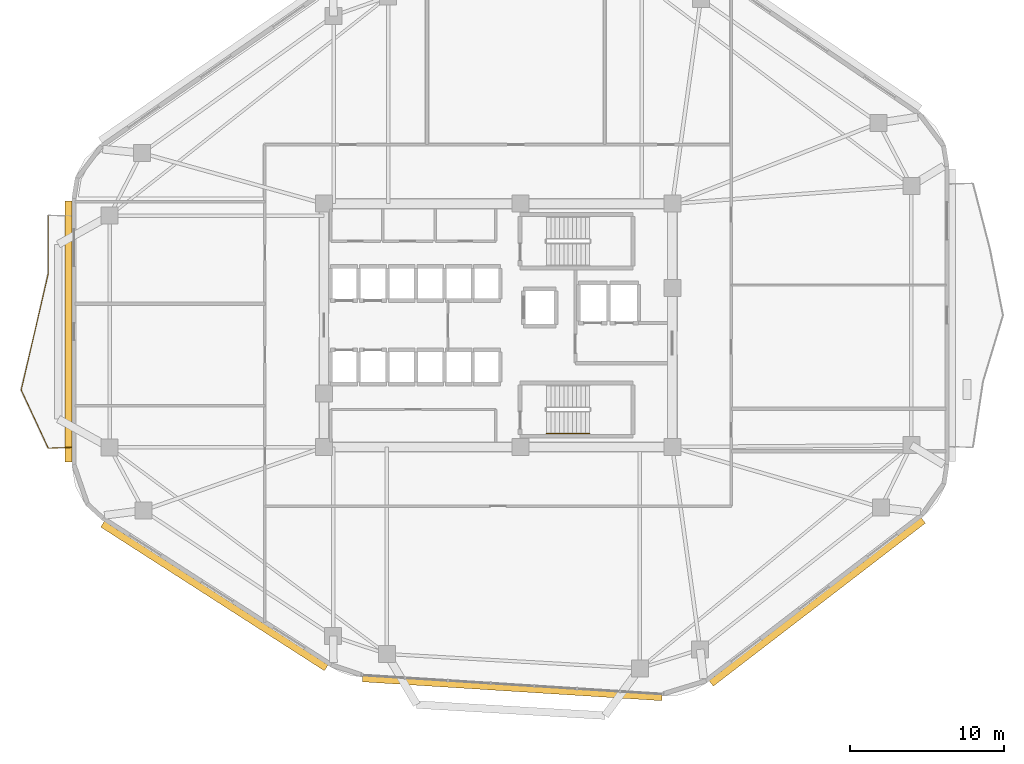
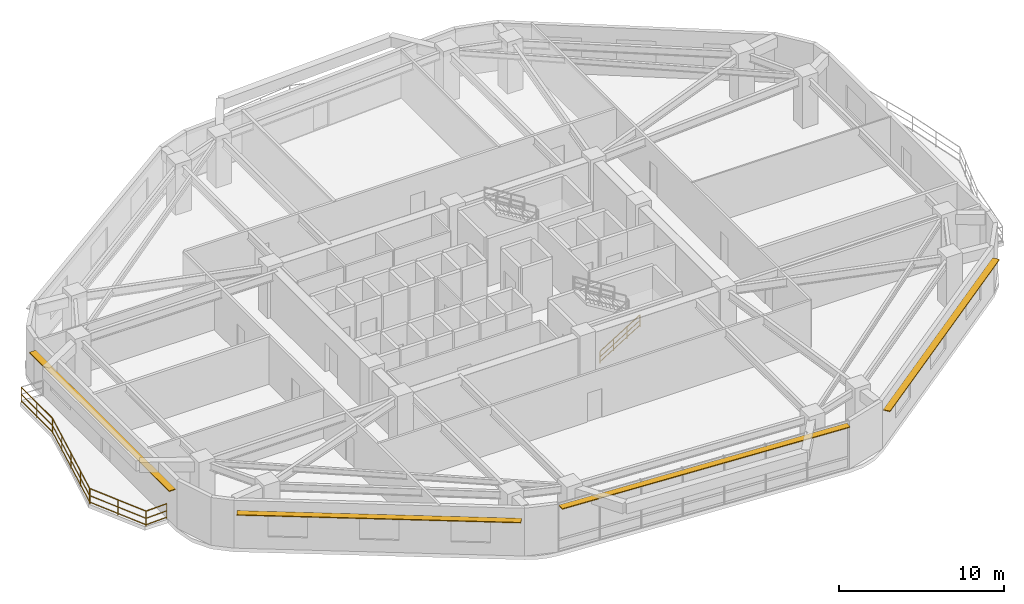
# One storey, part 10 of 12: 5 railings, 4 shading devices.
"""IFC4 building model written with IfcOpenShell, lengths in metres."""

from ifc_helpers import new_model, si_unit, direction, frame, origin, origin_2d, place, context, subcontext, project, spatial, rectangle, extrude, material, layer, layer_set, type_object, element, save


model = new_model("IFC4")

# Units and contexts
model_context = context("Model", 3, precision=1e-05, world=origin(), true_north=direction((0.0, 1.0)))
body_context = subcontext(model_context, "Body", "Model", "MODEL_VIEW")
ifc_project = project(units=[si_unit("LENGTHUNIT", "METRE"), si_unit("AREAUNIT", "SQUARE_METRE"), si_unit("VOLUMEUNIT", "CUBIC_METRE"), si_unit("PLANEANGLEUNIT", "RADIAN"), si_unit("MASSUNIT", "GRAM", prefix="KILO")], contexts=[model_context])

# Site, building, storey
site_placement = place(None, origin())
site = spatial("IfcSite", under=ifc_project, at=site_placement, CompositionType="ELEMENT")
building_placement = place(site_placement, origin())
building = spatial("IfcBuilding", under=site, at=building_placement, Name="Zulverin Broadcast Headquarters", CompositionType="ELEMENT")
storey_placement = place(building_placement, frame((0.0, 0.0, 93.39990234375)))
storey = spatial("IfcBuildingStorey", under=building, at=storey_placement, Name="L23", CompositionType="ELEMENT", Elevation=93.39990234375)

# Railings
ifc_material_1 = material(Name="Brushed stainless steel & laminated glass balustrade", Category="steel")
railing_type_1 = type_object("IfcRailingType", Name="RL-GUARD-1150", PredefinedType="GUARDRAIL", material=ifc_material_1)
railing_1_placement = place(storey_placement, frame((7.8798828125, 32.329345703125, 0.0)))
element("IfcRailing", 1, at=railing_1_placement, inside=storey, type_object=railing_type_1, Name="L23 Vertical-Forest Balcony Guardrail BAL_W Segment 02", PredefinedType="GUARDRAIL", context=body_context, shape_type="SweptSolid", body=[
    extrude(rectangle(XDim=0.048095703125, YDim=0.048095703125, at=origin_2d()), frame((0.0, 0.0, 1.1259765625), z_axis=(0.0, -1.0, 0.0), x_axis=(1.0, 0.0, 0.0)), (0.0, 0.0, 1.0), 3.7451171875),
    extrude(rectangle(XDim=0.0419921875, YDim=0.0419921875, at=origin_2d()), frame((0.0, 0.0, 0.597900390625), z_axis=(0.0, -1.0, 0.0), x_axis=(1.0, 0.0, 0.0)), (0.0, 0.0, 1.0), 3.7451171875),
    extrude(rectangle(XDim=0.0419921875, YDim=0.0419921875, at=origin_2d()), frame((0.0, 0.0, 0.1201171875), z_axis=(0.0, -1.0, 0.0), x_axis=(1.0, 0.0, 0.0)), (0.0, 0.0, 1.0), 3.7451171875),
    extrude(rectangle(XDim=0.0419921875, YDim=0.0419921875, at=origin_2d()), origin(), (0.0, 0.0, 1.0), 1.101806640625),
    extrude(rectangle(XDim=0.0419921875, YDim=0.0419921875, at=origin_2d()), frame((0.0, -1.87255859375, 0.0)), (0.0, 0.0, 1.0), 1.101806640625),
    extrude(rectangle(XDim=0.0419921875, YDim=0.0419921875, at=origin_2d()), frame((0.0, -3.7451171875, 0.0)), (0.0, 0.0, 1.0), 1.101806640625),
])
railing_2_placement = place(storey_placement, frame((7.876708984375, 28.5546875, 0.0)))
element("IfcRailing", 2, at=railing_2_placement, inside=storey, type_object=railing_type_1, Name="L23 Vertical-Forest Balcony Guardrail BAL_W Segment 03", PredefinedType="GUARDRAIL", context=body_context, shape_type="SweptSolid", body=[
    extrude(rectangle(XDim=0.048095703125, YDim=0.048095703125, at=origin_2d()), frame((0.0, 0.0, 1.1259765625), z_axis=(-0.226290961351, -0.974059752177, 0.0), x_axis=(0.974059752177, -0.226290961351, 0.0)), (0.0, 0.0, 1.0), 7.721435546875),
    extrude(rectangle(XDim=0.0419921875, YDim=0.0419921875, at=origin_2d()), frame((0.0, 0.0, 0.597900390625), z_axis=(-0.226290961351, -0.974059752177, 0.0), x_axis=(0.974059752177, -0.226290961351, 0.0)), (0.0, 0.0, 1.0), 7.721435546875),
    extrude(rectangle(XDim=0.0419921875, YDim=0.0419921875, at=origin_2d()), frame((0.0, 0.0, 0.1201171875), z_axis=(-0.226290961351, -0.974059752177, 0.0), x_axis=(0.974059752177, -0.226290961351, 0.0)), (0.0, 0.0, 1.0), 7.721435546875),
    extrude(rectangle(XDim=0.0419921875, YDim=0.0419921875, at=origin_2d()), origin(), (0.0, 0.0, 1.0), 1.101806640625),
    extrude(rectangle(XDim=0.0419921875, YDim=0.0419921875, at=origin_2d()), frame((-0.436767578125, -1.88037109375, 0.0)), (0.0, 0.0, 1.0), 1.101806640625),
    extrude(rectangle(XDim=0.0419921875, YDim=0.0419921875, at=origin_2d()), frame((-0.87353515625, -3.7607421875, 0.0)), (0.0, 0.0, 1.0), 1.101806640625),
    extrude(rectangle(XDim=0.0419921875, YDim=0.0419921875, at=origin_2d()), frame((-1.310546875, -5.640869140625, 0.0)), (0.0, 0.0, 1.0), 1.101806640625),
    extrude(rectangle(XDim=0.0419921875, YDim=0.0419921875, at=origin_2d()), frame((-1.747314453125, -7.521240234375, 0.0)), (0.0, 0.0, 1.0), 1.101806640625),
])
railing_3_placement = place(storey_placement, frame((6.13232421875, 21.005126953125, 0.0)))
element("IfcRailing", 3, at=railing_3_placement, inside=storey, type_object=railing_type_1, Name="L23 Vertical-Forest Balcony Guardrail BAL_W Segment 04", PredefinedType="GUARDRAIL", context=body_context, shape_type="SweptSolid", body=[
    extrude(rectangle(XDim=0.048095703125, YDim=0.048095703125, at=origin_2d()), frame((0.0, 0.0, 1.1259765625), z_axis=(0.421368161314, -0.906889669492, 0.0), x_axis=(0.906889669492, 0.421368161314, 0.0)), (0.0, 0.0, 1.0), 4.1328125),
    extrude(rectangle(XDim=0.0419921875, YDim=0.0419921875, at=origin_2d()), frame((0.0, 0.0, 0.597900390625), z_axis=(0.421368161314, -0.906889669492, 0.0), x_axis=(0.906889669492, 0.421368161314, 0.0)), (0.0, 0.0, 1.0), 4.1328125),
    extrude(rectangle(XDim=0.0419921875, YDim=0.0419921875, at=origin_2d()), frame((0.0, 0.0, 0.1201171875), z_axis=(0.421368161314, -0.906889669492, 0.0), x_axis=(0.906889669492, 0.421368161314, 0.0)), (0.0, 0.0, 1.0), 4.1328125),
    extrude(rectangle(XDim=0.0419921875, YDim=0.0419921875, at=origin_2d()), origin(), (0.0, 0.0, 1.0), 1.101806640625),
    extrude(rectangle(XDim=0.0419921875, YDim=0.0419921875, at=origin_2d()), frame((0.87060546875, -1.8740234375, 0.0)), (0.0, 0.0, 1.0), 1.101806640625),
    extrude(rectangle(XDim=0.0419921875, YDim=0.0419921875, at=origin_2d()), frame((1.741455078125, -3.748046875, 0.0)), (0.0, 0.0, 1.0), 1.101806640625),
])
railing_4_placement = place(storey_placement, frame((7.89501953125, 17.244140625, 0.0)))
element("IfcRailing", 4, at=railing_4_placement, inside=storey, type_object=railing_type_1, Name="L23 Vertical-Forest Balcony Guardrail BAL_W Segment 05", PredefinedType="GUARDRAIL", context=body_context, shape_type="SweptSolid", body=[
    extrude(rectangle(XDim=0.048095703125, YDim=0.048095703125, at=origin_2d()), frame((0.0, 0.0, 1.1259765625), z_axis=(0.999174410196, 0.040626321628, 0.0), x_axis=(-0.040626321628, 0.999174410196, 0.0)), (0.0, 0.0, 1.0), 1.46630859375),
    extrude(rectangle(XDim=0.0419921875, YDim=0.0419921875, at=origin_2d()), frame((0.0, 0.0, 0.597900390625), z_axis=(0.999174410196, 0.040626321628, 0.0), x_axis=(-0.040626321628, 0.999174410196, 0.0)), (0.0, 0.0, 1.0), 1.46630859375),
    extrude(rectangle(XDim=0.0419921875, YDim=0.0419921875, at=origin_2d()), frame((0.0, 0.0, 0.1201171875), z_axis=(0.999174410196, 0.040626321628, 0.0), x_axis=(-0.040626321628, 0.999174410196, 0.0)), (0.0, 0.0, 1.0), 1.46630859375),
    extrude(rectangle(XDim=0.0419921875, YDim=0.0419921875, at=origin_2d()), origin(), (0.0, 0.0, 1.0), 1.101806640625),
    extrude(rectangle(XDim=0.0419921875, YDim=0.0419921875, at=origin_2d()), frame((1.465087890625, 0.0595703125, 0.0)), (0.0, 0.0, 1.0), 1.101806640625),
])
ifc_material_2 = material(Name="Brushed stainless steel 48 mm handrail", Category="steel")
railing_type_2 = type_object("IfcRailingType", Name="RL-ST-HAND", PredefinedType="HANDRAIL", material=ifc_material_2)
railing_5_placement = place(storey_placement, frame((40.1298828125, 18.199951171875, 0.1728515625)))
element("IfcRailing", 5, at=railing_5_placement, inside=storey, type_object=railing_type_2, Name="L23 ST-2 stair handrail 1", PredefinedType="HANDRAIL", context=body_context, shape_type="SweptSolid", body=[
    extrude(rectangle(XDim=0.048095703125, YDim=0.048095703125, at=origin_2d()), frame((0.0, 0.0, 0.8759765625), z_axis=(0.851089632645, 0.0, 0.525020415988), x_axis=(0.0, 1.0, 0.0)), (0.0, 0.0, 1.0), 3.2900390625),
    extrude(rectangle(XDim=0.0419921875, YDim=0.0419921875, at=origin_2d()), frame((0.0, 0.0, 0.468017578125), z_axis=(0.851089632645, 0.0, 0.525020415988), x_axis=(0.0, 1.0, 0.0)), (0.0, 0.0, 1.0), 3.2900390625),
    extrude(rectangle(XDim=0.0419921875, YDim=0.0419921875, at=origin_2d()), frame((0.0, 0.0, 0.1201171875), z_axis=(0.851089632645, 0.0, 0.525020415988), x_axis=(0.0, 1.0, 0.0)), (0.0, 0.0, 1.0), 3.2900390625),
    extrude(rectangle(XDim=0.0419921875, YDim=0.0419921875, at=origin_2d()), origin(), (0.0, 0.0, 1.0), 0.851806640625),
    extrude(rectangle(XDim=0.0419921875, YDim=0.0419921875, at=origin_2d()), frame((0.933349609375, 0.0, 0.57568359375)), (0.0, 0.0, 1.0), 0.851806640625),
    extrude(rectangle(XDim=0.0419921875, YDim=0.0419921875, at=origin_2d()), frame((1.86669921875, 0.0, 1.151611328125)), (0.0, 0.0, 1.0), 0.851806640625),
    extrude(rectangle(XDim=0.0419921875, YDim=0.0419921875, at=origin_2d()), frame((2.800048828125, 0.0, 1.727294921875)), (0.0, 0.0, 1.0), 0.851806640625),
])

# Shading devices
ifc_material_3 = material(Name="Anodized pale-metal aluminium sunshade", Category="aluminium")
ifc_layer = layer(ifc_material_3, 0.06005859375, Name="Anodized pale-metal aluminium sunshade", Category="aluminium")
ifc_layer_set = layer_set([ifc_layer], Name="Anodized pale-metal aluminium sunshade")
shading_device_type = type_object("IfcShadingDeviceType", Name="SS-01_PALE_METAL_ALUMINIUM_SUNSHADE", PredefinedType="USERDEFINED", material=ifc_layer_set)
shading_device_1_placement = place(storey_placement, frame((37.91650390625, 1.735595703125, 3.295166015625), z_axis=(0.0, 0.0, 1.0), x_axis=(0.998017182581, -0.062942062821, 0.0)))
element("IfcShadingDevice", 6, at=shading_device_1_placement, inside=storey, type_object=shading_device_type, Name="L23 Pale-Metal Horizontal Sunshade Band CW-L23-E1", ObjectType="SUNSHADE", PredefinedType="USERDEFINED", context=body_context, shape_type="SweptSolid", body=[
    extrude(rectangle(XDim=19.43701171875, YDim=0.449951171875, at=origin_2d()), origin(), (0.0, 0.0, 1.0), 0.06005859375),
])
shading_device_2_placement = place(storey_placement, frame((57.658447265625, 7.29833984375, 2.7099609375), z_axis=(0.0, 0.0, 1.0), x_axis=(0.792933468586, 0.609308226102, 0.0)))
element("IfcShadingDevice", 7, at=shading_device_2_placement, inside=storey, type_object=shading_device_type, Name="L23 Horizontal Pale-Metal Sunshade Band 2", ObjectType="SUNSHADE", PredefinedType="USERDEFINED", context=body_context, shape_type="SweptSolid", body=[
    extrude(rectangle(XDim=17.312744140625, YDim=0.449951171875, at=origin_2d()), origin(), (0.0, 0.0, 1.0), 0.06005859375),
])
shading_device_3_placement = place(storey_placement, frame((9.199951171875, 24.7939453125, 2.7099609375), z_axis=(0.0, 0.0, 1.0), x_axis=(0.0, -1.0, 0.0)))
element("IfcShadingDevice", 8, at=shading_device_3_placement, inside=storey, type_object=shading_device_type, Name="L23 Horizontal Pale-Metal Sunshade Band 7", ObjectType="SUNSHADE", PredefinedType="USERDEFINED", context=body_context, shape_type="SweptSolid", body=[
    extrude(rectangle(XDim=16.90087890625, YDim=0.449951171875, at=origin_2d()), origin(), (0.0, 0.0, 1.0), 0.06005859375),
])
shading_device_4_placement = place(storey_placement, frame((18.6298828125, 7.681640625, 2.7099609375), z_axis=(0.0, 0.0, 1.0), x_axis=(0.841296678234, -0.540573676007, 0.0)))
element("IfcShadingDevice", 9, at=shading_device_4_placement, inside=storey, type_object=shading_device_type, Name="L23 Horizontal Pale-Metal Sunshade Band 8", ObjectType="SUNSHADE", PredefinedType="USERDEFINED", context=body_context, shape_type="SweptSolid", body=[
    extrude(rectangle(XDim=17.2119140625, YDim=0.449951171875, at=origin_2d()), origin(), (0.0, 0.0, 1.0), 0.06005859375),
])

save(model, "model.ifc")
